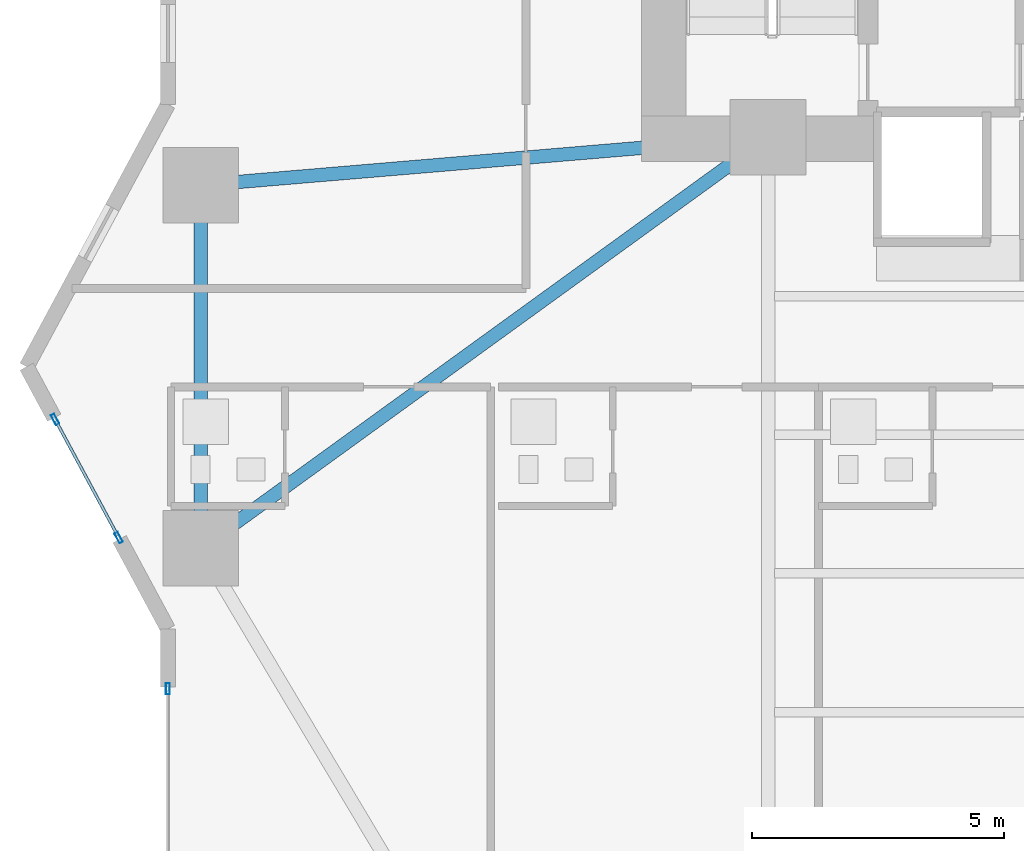
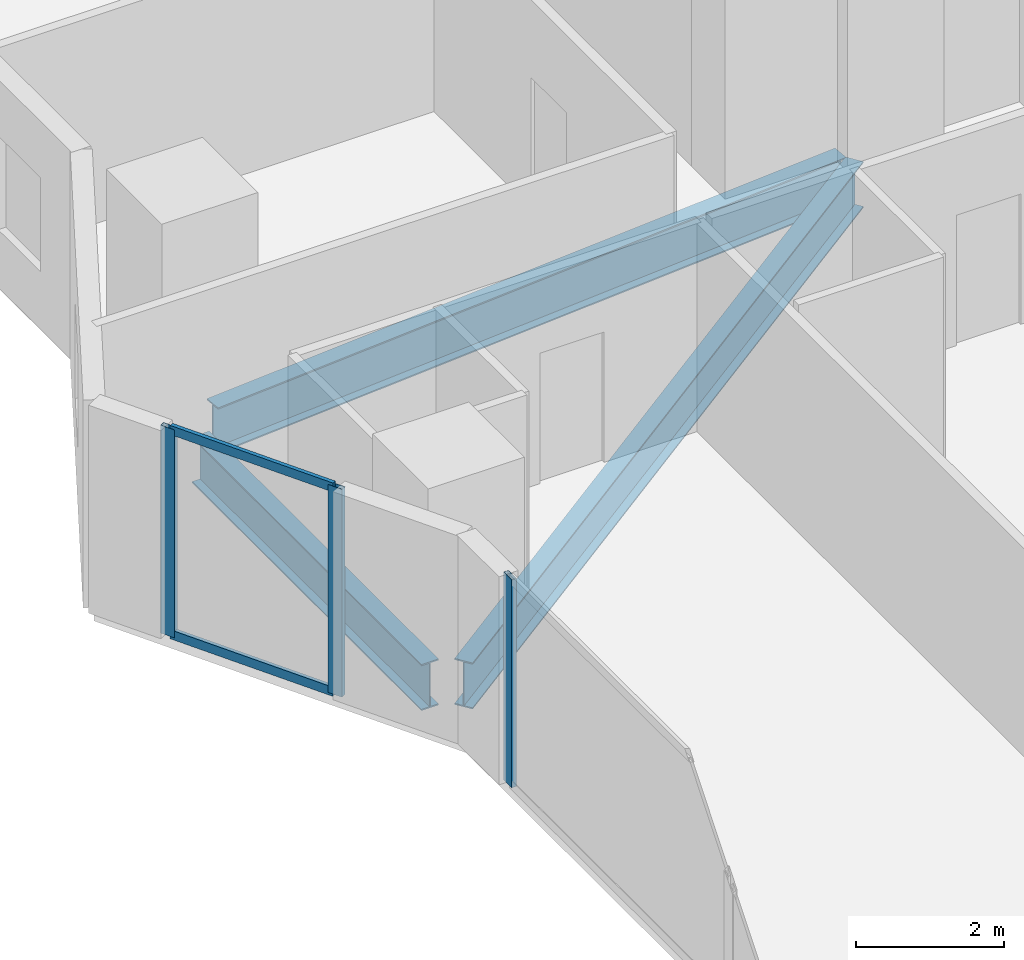
# One storey, part 6 of 28: 5 members, 3 beams, 2 elements without a shape of their own.
"""IFC4 building model written with IfcOpenShell, lengths in metres."""

from ifc_helpers import new_model, si_unit, direction, frame, origin, origin_2d, place, context, subcontext, project, spatial, hollow_rectangle, i_section, extrude, material, layer, layer_set, material_profile, profile_set, type_object, element, aggregate, save


model = new_model("IFC4")

# Units and contexts
model_context = context("Model", 3, precision=1e-05, world=origin(), true_north=direction((0.0, 1.0)))
body_context = subcontext(model_context, "Body", "Model", "MODEL_VIEW")
ifc_project = project(units=[si_unit("LENGTHUNIT", "METRE"), si_unit("AREAUNIT", "SQUARE_METRE"), si_unit("VOLUMEUNIT", "CUBIC_METRE"), si_unit("PLANEANGLEUNIT", "RADIAN"), si_unit("MASSUNIT", "GRAM", prefix="KILO")], contexts=[model_context])

# Site, building, storey
site_placement = place(None, origin())
site = spatial("IfcSite", under=ifc_project, at=site_placement, CompositionType="ELEMENT")
building_placement = place(site_placement, origin())
building = spatial("IfcBuilding", under=site, at=building_placement, Name="Zuhayl Quay Hotel", CompositionType="ELEMENT")
storey_placement = place(building_placement, frame((0.0, 0.0, 31.25)))
storey = spatial("IfcBuildingStorey", under=building, at=storey_placement, Name="L06", CompositionType="ELEMENT", Elevation=31.25)

# Beams
ifc_material_1 = material(Name="Steel ASTM A992 Grade 50", Category="steel")
ifc_material_profile_1 = material_profile(ifc_material_1, i_section(OverallWidth=0.26708984375, OverallDepth=0.761962890625, WebThickness=0.014404296875, FlangeThickness=0.021484375, at=origin_2d()), Name="W30X116")
ifc_profile_set_1 = profile_set([ifc_material_profile_1], Name="Steel ASTM A992 Grade 50")
beam_type = type_object("IfcBeamType", Name="BM_B1_W30X116", PredefinedType="BEAM", material=ifc_profile_set_1)
beam_1_placement = place(storey_placement, frame((-25.050048828125, 3.10009765625, -0.60107421875), z_axis=(0.0, -1.0, 0.0), x_axis=(1.0, 0.0, 0.0)))
element("IfcBeam", 1, at=beam_1_placement, inside=storey, type_object=beam_type, Name="L06 Floor Beam RG_L06_11", PredefinedType="BEAM", context=body_context, shape_type="SweptSolid", body=[
    extrude(i_section(OverallWidth=0.26708984375, OverallDepth=0.761962890625, WebThickness=0.014404296875, FlangeThickness=0.021484375, at=origin_2d()), origin(), (0.0, 0.0, 1.0), 6.2001953125),
])
beam_2_placement = place(storey_placement, frame((-24.64501953125, -3.306640625, -0.60107421875), z_axis=(0.809830244688, 0.586664277751, 0.0), x_axis=(-0.586664277751, 0.809830244688, 0.0)))
element("IfcBeam", 2, at=beam_2_placement, inside=storey, type_object=beam_type, Name="L06 Floor Beam FG_W_L06_1", PredefinedType="BEAM", context=body_context, shape_type="SweptSolid", body=[
    extrude(i_section(OverallWidth=0.26708984375, OverallDepth=0.761962890625, WebThickness=0.014404296875, FlangeThickness=0.021484375, at=origin_2d()), origin(), (0.0, 0.0, 1.0), 12.94189453125),
])
beam_3_placement = place(storey_placement, frame((-24.5517578125, 3.64208984375, -0.60107421875), z_axis=(0.996453145398, 0.084149444594, 0.0), x_axis=(-0.084149444594, 0.996453145398, 0.0)))
element("IfcBeam", 3, at=beam_3_placement, inside=storey, type_object=beam_type, Name="L06 Floor Beam FG_W_L06_2", PredefinedType="BEAM", context=body_context, shape_type="SweptSolid", body=[
    extrude(i_section(OverallWidth=0.26708984375, OverallDepth=0.761962890625, WebThickness=0.014404296875, FlangeThickness=0.021484375, at=origin_2d()), origin(), (0.0, 0.0, 1.0), 10.340087890625),
])

# Curtain wall, member
ifc_material_2 = material(Name="Anodised Aluminium 6063-T6", Category="aluminium")
ifc_layer = layer(ifc_material_2, 0.18994140625, Name="Anodised Aluminium 6063-T6", Category="aluminium")
ifc_layer_set = layer_set([ifc_layer], Name="Anodised Aluminium 6063-T6")
curtain_wall_type = type_object("IfcCurtainWallType", Name="CW_SYS_Z1", PredefinedType="USERDEFINED", material=ifc_layer_set)
curtain_wall_1_placement = place(storey_placement, origin())
curtain_wall_1 = element("IfcCurtainWall", 4, at=curtain_wall_1_placement, inside=storey, type_object=curtain_wall_type, Name="L06 Curtain Wall ENV_L06_E02_CW1", ObjectType="UNITISED CURTAIN WALL", PredefinedType="USERDEFINED")
ifc_material_3 = material(Name="Black-anodised aluminium 6063-T6", Category="aluminium")
ifc_material_profile_2 = material_profile(ifc_material_3, hollow_rectangle(XDim=0.074951171875, YDim=0.219970703125, WallThickness=0.00390625, at=origin_2d()), Name="ALU220X75")
ifc_profile_set_2 = profile_set([ifc_material_profile_2], Name="Black-anodised aluminium 6063-T6")
member_type_1 = type_object("IfcMemberType", Name="MB_CW_MUL_220", PredefinedType="MULLION", material=ifc_profile_set_2)
member_1_placement = place(storey_placement, frame((-25.699951171875, -6.387451171875, 0.0), z_axis=(0.0, 0.0, 1.0), x_axis=(-1.0, 0.0, 0.0)))
member_1 = element("IfcMember", 5, at=member_1_placement, type_object=member_type_1, Name="CW-Z1 mullion 3", PredefinedType="MULLION", context=body_context, shape_type="SweptSolid", body=[
    extrude(hollow_rectangle(XDim=0.074951171875, YDim=0.219970703125, WallThickness=0.00390625, at=origin_2d()), origin(), (0.0, 0.0, 1.0), 3.429931640625),
])
aggregate(curtain_wall_1, [member_1])

# Curtain wall, members
curtain_wall_2_placement = place(storey_placement, origin())
curtain_wall_2 = element("IfcCurtainWall", 6, at=curtain_wall_2_placement, inside=storey, type_object=curtain_wall_type, Name="L06 Curtain Wall ENV_L06_E03_CW1", ObjectType="UNITISED CURTAIN WALL", PredefinedType="USERDEFINED")
member_2_placement = place(storey_placement, frame((-26.67578125, -3.387939453125, 0.0), z_axis=(0.0, 0.0, 1.0), x_axis=(-0.880475795468, -0.474091102632, 0.0)))
member_2 = element("IfcMember", 7, at=member_2_placement, type_object=member_type_1, Name="CW-Z1 mullion 1", PredefinedType="MULLION", context=body_context, shape_type="SweptSolid", body=[
    extrude(hollow_rectangle(XDim=0.074951171875, YDim=0.219970703125, WallThickness=0.00390625, at=origin_2d()), origin(), (0.0, 0.0, 1.0), 3.429931640625),
])
member_3_placement = place(storey_placement, frame((-27.93701171875, -1.04541015625, 0.0), z_axis=(0.0, 0.0, 1.0), x_axis=(-0.880475795468, -0.474091102632, 0.0)))
member_3 = element("IfcMember", 8, at=member_3_placement, type_object=member_type_1, Name="CW-Z1 mullion 2", PredefinedType="MULLION", context=body_context, shape_type="SweptSolid", body=[
    extrude(hollow_rectangle(XDim=0.074951171875, YDim=0.219970703125, WallThickness=0.00390625, at=origin_2d()), origin(), (0.0, 0.0, 1.0), 3.429931640625),
])
ifc_material_profile_3 = material_profile(ifc_material_3, hollow_rectangle(XDim=0.06005859375, YDim=0.14990234375, WallThickness=0.00341796875, at=origin_2d()), Name="ALU150X60")
ifc_profile_set_3 = profile_set([ifc_material_profile_3], Name="Black-anodised aluminium 6063-T6")
member_type_2 = type_object("IfcMemberType", Name="MB_CW_TRN_150", PredefinedType="USERDEFINED", material=ifc_profile_set_3)
member_4_placement = place(storey_placement, frame((-26.693603515625, -3.35498046875, 0.030029296875), z_axis=(-0.474054771703, 0.880495356845, 0.0), x_axis=(-0.880495356845, -0.474054771703, 0.0)))
member_4 = element("IfcMember", 9, at=member_4_placement, type_object=member_type_2, Name="CW-Z1 transom 1.1", ObjectType="TRANSOM", PredefinedType="USERDEFINED", context=body_context, shape_type="SweptSolid", body=[
    extrude(hollow_rectangle(XDim=0.06005859375, YDim=0.14990234375, WallThickness=0.00341796875, at=origin_2d()), origin(), (0.0, 0.0, 1.0), 2.585205078125),
])
member_5_placement = place(storey_placement, frame((-26.693603515625, -3.35498046875, 3.39990234375), z_axis=(-0.474054771703, 0.880495356845, 0.0), x_axis=(-0.880495356845, -0.474054771703, 0.0)))
member_5 = element("IfcMember", 10, at=member_5_placement, type_object=member_type_2, Name="CW-Z1 transom 1.2", ObjectType="TRANSOM", PredefinedType="USERDEFINED", context=body_context, shape_type="SweptSolid", body=[
    extrude(hollow_rectangle(XDim=0.06005859375, YDim=0.14990234375, WallThickness=0.00341796875, at=origin_2d()), origin(), (0.0, 0.0, 1.0), 2.585205078125),
])
aggregate(curtain_wall_2, [member_2, member_3, member_4, member_5])

save(model, "model.ifc")
